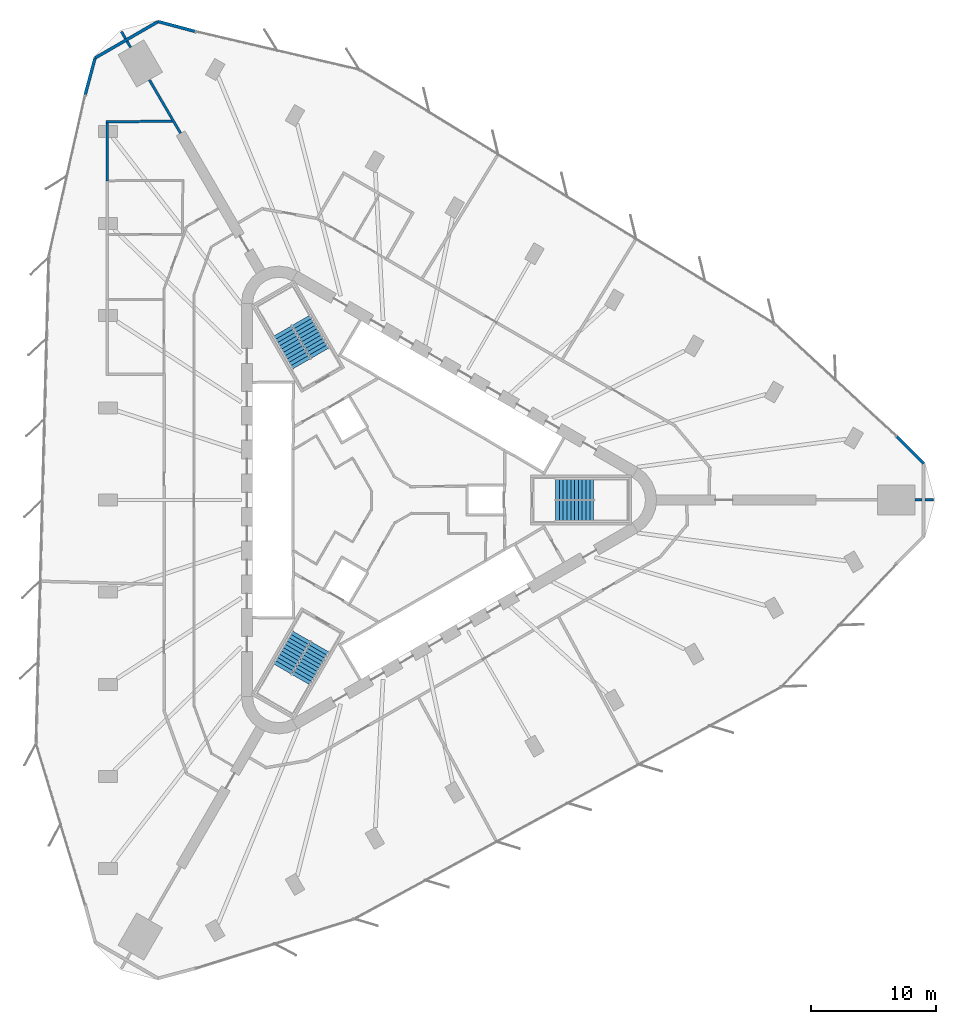
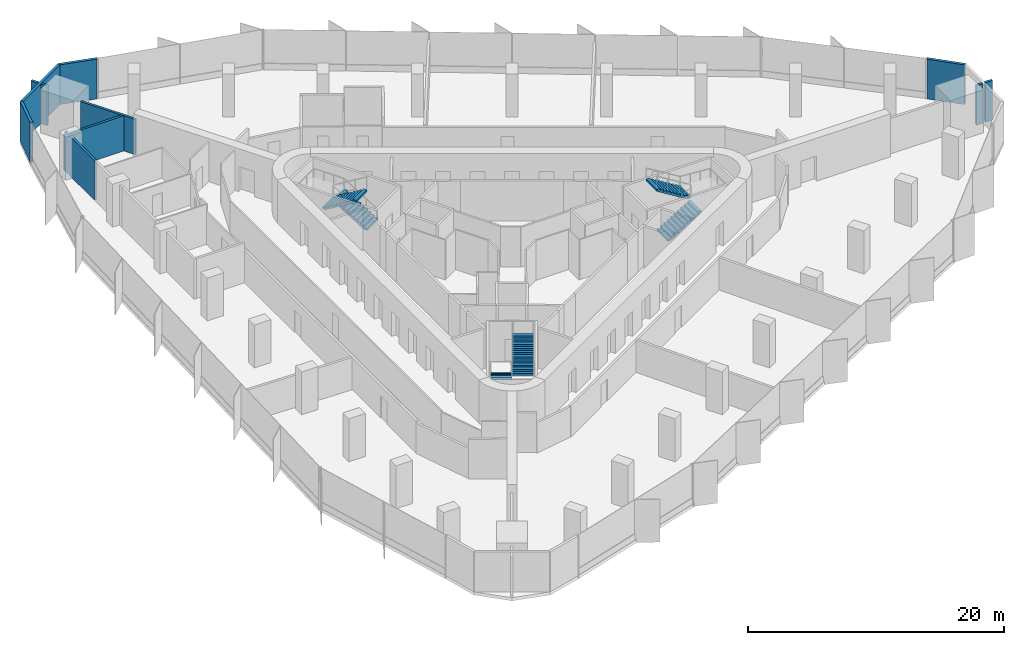
# One storey, part 13 of 14: 11 walls, 6 stair flights, 3 elements without a shape of their own.
"""IFC4 building model written with IfcOpenShell, lengths in metres."""

from ifc_helpers import new_model, si_unit, direction, frame, frame_2d, origin, place, context, subcontext, project, spatial, polyline, rectangle, outline, extrude, material, layer, layer_set, type_object, element, aggregate, save


model = new_model("IFC4")

# Units and contexts
model_context = context("Model", 3, precision=1e-05, world=origin(), true_north=direction((0.0, 1.0)))
body_context = subcontext(model_context, "Body", "Model", "MODEL_VIEW")
ifc_project = project(units=[si_unit("LENGTHUNIT", "METRE"), si_unit("AREAUNIT", "SQUARE_METRE"), si_unit("VOLUMEUNIT", "CUBIC_METRE"), si_unit("PLANEANGLEUNIT", "RADIAN"), si_unit("MASSUNIT", "GRAM", prefix="KILO")], contexts=[model_context])

# Site, building, storey
site_placement = place(None, origin())
site = spatial("IfcSite", under=ifc_project, at=site_placement, CompositionType="ELEMENT")
building_placement = place(site_placement, origin())
building = spatial("IfcBuilding", under=site, at=building_placement, Name="Tanit Gate Tower", CompositionType="ELEMENT")
storey_placement = place(building_placement, frame((0.0, 0.0, 123.39990234375)))
storey = spatial("IfcBuildingStorey", under=building, at=storey_placement, Name="L26", CompositionType="ELEMENT", Elevation=123.39990234375)

# Walls
ifc_material_1 = material(Name="Concrete C30/37 with bronze anodised aluminium cladding", Category="concrete")
ifc_layer_1 = layer(ifc_material_1, 0.239990234375)
ifc_layer_set_1 = layer_set([ifc_layer_1], Name="Facade wall bronze clad 240")
wall_type_1 = type_object("IfcWallType", Name="Facade wall bronze clad 240", PredefinedType="SOLIDWALL", material=ifc_layer_set_1)
wall_1_placement = place(storey_placement, frame((-15.81689453125, 37.57763671875, 0.0), z_axis=(0.0, 0.0, 1.0), x_axis=(-0.965920651814, 0.258838355735, 0.0)))
element("IfcWall", 1, at=wall_1_placement, inside=storey, type_object=wall_type_1, Name="Bronze-clad facade wall L26 NW.arc1", PredefinedType="SOLIDWALL", context=body_context, shape_type="SweptSolid", body=[
    extrude(rectangle(XDim=3.062744140625, YDim=0.239990234375, at=frame_2d((1.53125, 0.0))), origin(), (0.0, 0.0, 1.0), 3.800048828125),
])
wall_2_placement = place(storey_placement, frame((-18.775146484375, 38.370361328125, 0.0), z_axis=(0.0, 0.0, 1.0), x_axis=(-0.866031321059, -0.49998975084, 0.0)))
element("IfcWall", 2, at=wall_2_placement, inside=storey, type_object=wall_type_1, Name="Bronze-clad facade wall L26 NW.arc2", PredefinedType="SOLIDWALL", context=body_context, shape_type="SweptSolid", body=[
    extrude(rectangle(XDim=5.8505859375, YDim=0.239990234375, at=frame_2d((2.92529296875, 0.0))), origin(), (0.0, 0.0, 1.0), 3.800048828125),
])
for number, where, z_axis, x_axis, name in (
    (3, (-23.842041015625, 35.445068359375, 0.0), (0.0, 0.0, 1.0), (-0.258805249011, -0.965929522835, 0.0), "Bronze-clad facade wall L26 NW.arc3"),
    (4, (42.617431640625, 2.92529296875, 0.0), (0.0, 0.0, 1.0), (-0.707106781187, 0.707106781187, 0.0), "Bronze-clad facade wall L26 E.arc3"),
):
    element("IfcWall", number, at=place(storey_placement, frame(where, z_axis=z_axis, x_axis=x_axis)), inside=storey, type_object=wall_type_1, Name=name, PredefinedType="SOLIDWALL", context=body_context, shape_type="SweptSolid", body=[
        extrude(rectangle(XDim=3.058349609375, YDim=0.239990234375, at=frame_2d((1.529296875, 0.0))), origin(), (0.0, 0.0, 1.0), 3.800048828125),
    ])
ifc_material_2 = material(Name="Fire-rated gypsum board partition")
ifc_layer_2 = layer(ifc_material_2, 0.199951171875)
ifc_layer_set_2 = layer_set([ifc_layer_2], Name="INT-WALL-COMPARTMENT")
wall_type_2 = type_object("IfcWallType", Name="INT-WALL-COMPARTMENT", PredefinedType="PARTITIONING", material=ifc_layer_set_2)
wall_3_placement = place(storey_placement, frame((-21.72265625, 37.564697265625, 0.0), z_axis=(0.0, 0.0, 1.0), x_axis=(0.499862072928, -0.866105021373, 0.0)))
element("IfcWall", 5, at=wall_3_placement, inside=storey, type_object=wall_type_2, Name="Wall Compartment W116", PredefinedType="PARTITIONING", context=body_context, shape_type="SweptSolid", body=[
    extrude(rectangle(XDim=0.656005859375, YDim=0.199951171875, at=frame_2d((0.328125, 0.0))), origin(), (0.0, 0.0, 1.0), 3.800048828125),
])
wall_4_placement = place(storey_placement, frame((-21.274658203125, 36.788818359375, 0.0), z_axis=(0.0, 0.0, 1.0), x_axis=(0.499857944771, -0.866107403877, 0.0)))
element("IfcWall", 6, at=wall_4_placement, inside=storey, type_object=wall_type_2, Name="Wall Compartment W116x1", PredefinedType="PARTITIONING", context=body_context, shape_type="SweptSolid", body=[
    extrude(rectangle(XDim=0.572021484375, YDim=0.199951171875, at=frame_2d((0.2861328125, 0.0))), origin(), (0.0, 0.0, 1.0), 3.800048828125),
])
wall_5_placement = place(storey_placement, frame((-19.48876953125, 33.695556640625, 0.0), z_axis=(0.0, 0.0, 1.0), x_axis=(0.50520690072, -0.862998254613, 0.0)))
element("IfcWall", 7, at=wall_5_placement, inside=storey, type_object=wall_type_2, Name="Wall Compartment W117", PredefinedType="PARTITIONING", context=body_context, shape_type="SweptSolid", body=[
    extrude(rectangle(XDim=4.96337890625, YDim=0.199951171875, at=frame_2d((2.481689453125, 0.0))), origin(), (0.0, 0.0, 1.0), 3.3701171875),
])
wall_6_placement = place(storey_placement, frame((-22.85009765625, 25.599853515625, 0.0), z_axis=(0.0, 0.0, 1.0), x_axis=(0.0, 1.0, 0.0)))
element("IfcWall", 8, at=wall_6_placement, inside=storey, type_object=wall_type_2, Name="Wall Compartment W123", PredefinedType="PARTITIONING", context=body_context, shape_type="SweptSolid", body=[
    extrude(rectangle(XDim=4.64013671875, YDim=0.199951171875, at=frame_2d((2.320068359375, 0.0))), origin(), (0.0, 0.0, 1.0), 3.800048828125),
])
wall_7_placement = place(storey_placement, frame((-17.5341796875, 30.3701171875, 0.0), z_axis=(0.0, 0.0, 1.0), x_axis=(-0.999983869047, -0.00567993362, 0.0)))
element("IfcWall", 9, at=wall_7_placement, inside=storey, type_object=wall_type_2, Name="Wall Compartment W122", PredefinedType="PARTITIONING", context=body_context, shape_type="SweptSolid", body=[
    extrude(rectangle(XDim=5.415771484375, YDim=0.199951171875, at=frame_2d((2.7080078125, 0.0))), origin(), (0.0, 0.0, 1.0), 3.3701171875),
])
wall_8_placement = place(storey_placement, frame((43.39306640625, 0.030029296875, 0.0), z_axis=(0.0, 0.0, 1.0), x_axis=(-1.0, 0.0, 0.0)))
element("IfcWall", 10, at=wall_8_placement, inside=storey, type_object=wall_type_2, Name="Wall Compartment W132", PredefinedType="PARTITIONING", context=body_context, shape_type="SweptSolid", body=[
    extrude(rectangle(XDim=0.65576171875, YDim=0.199951171875, at=frame_2d((0.327880859375, 0.0))), origin(), (0.0, 0.0, 1.0), 3.800048828125),
])
wall_9_placement = place(storey_placement, frame((42.497314453125, 0.030029296875, 0.0), z_axis=(0.0, 0.0, 1.0), x_axis=(-1.0, 0.0, 0.0)))
element("IfcWall", 11, at=wall_9_placement, inside=storey, type_object=wall_type_2, Name="Wall Compartment W132x1", PredefinedType="PARTITIONING", context=body_context, shape_type="SweptSolid", body=[
    extrude(rectangle(XDim=0.572021484375, YDim=0.199951171875, at=frame_2d((0.2861328125, 0.0))), origin(), (0.0, 0.0, 1.0), 3.800048828125),
])

# Stair, stair flights
ifc_material_3 = material(Name="Concrete C40/50", Category="concrete")
stair_type = type_object("IfcStairType", Name="INT-STAIR-EXIT", PredefinedType="HALF_TURN_STAIR", material=ifc_material_3)
stair_1_placement = place(storey_placement, origin())
stair_1 = element("IfcStair", 12, at=stair_1_placement, inside=storey, type_object=stair_type, Name="L26 STAIR S1", PredefinedType="HALF_TURN_STAIR")
ifc_material_4 = material(Name="Concrete C40/50", Category="concrete")
stair_flight_type = type_object("IfcStairFlightType", Name="INT-STAIR-FLIGHT", PredefinedType="STRAIGHT", material=ifc_material_4)
stair_flight_1_placement = place(storey_placement, frame((13.094970703125, -0.8525390625, 0.0), z_axis=(0.0, 0.0, 1.0), x_axis=(1.0, 0.0, 0.0)))
stair_flight_1 = element("IfcStairFlight", 13, at=stair_flight_1_placement, type_object=stair_flight_type, Name="S1 flight 1", NumberOfRisers=11, NumberOfTreads=10, PredefinedType="STRAIGHT", RiserHeight=0.186363636, TreadLength=0.3051, context=body_context, shape_type="SweptSolid", body=[
    extrude(outline(polyline([(0.0, 0.0), (0.0, 0.186279296875), (0.30517578125, 0.186279296875), (0.30517578125, 0.372802734375), (0.610107421875, 0.372802734375), (0.610107421875, 0.55908203125), (0.915283203125, 0.55908203125), (0.915283203125, 0.745361328125), (1.220458984375, 0.745361328125), (1.220458984375, 0.931884765625), (1.525390625, 0.931884765625), (1.525390625, 1.1181640625), (1.83056640625, 1.1181640625), (1.83056640625, 1.304443359375), (2.1357421875, 1.304443359375), (2.1357421875, 1.490966796875), (2.44091796875, 1.490966796875), (2.44091796875, 1.67724609375), (2.745849609375, 1.67724609375), (2.745849609375, 1.863525390625), (3.051025390625, 1.863525390625), (3.051025390625, 2.050048828125), (3.051025390625, 1.68798828125), (0.28759765625, 0.0), (0.0, 0.0)])), frame((0.0, 0.84765625, 0.0), z_axis=(0.0, -1.0, 0.0), x_axis=(1.0, 0.0, 0.0)), (0.0, 0.0, 1.0), 1.695068359375),
])
stair_flight_2_placement = place(storey_placement, frame((16.14599609375, 0.8525390625, 2.050048828125), z_axis=(0.0, 0.0, 1.0), x_axis=(-1.0, 0.0, 0.0)))
stair_flight_2 = element("IfcStairFlight", 14, at=stair_flight_2_placement, type_object=stair_flight_type, Name="S1 flight 2", NumberOfRisers=11, NumberOfTreads=10, PredefinedType="STRAIGHT", RiserHeight=0.186363636, TreadLength=0.3051, context=body_context, shape_type="SweptSolid", body=[
    extrude(outline(polyline([(0.0, 0.0), (0.0, 0.186279296875), (0.30517578125, 0.186279296875), (0.30517578125, 0.372802734375), (0.610107421875, 0.372802734375), (0.610107421875, 0.55908203125), (0.915283203125, 0.55908203125), (0.915283203125, 0.745361328125), (1.220458984375, 0.745361328125), (1.220458984375, 0.931884765625), (1.525390625, 0.931884765625), (1.525390625, 1.1181640625), (1.83056640625, 1.1181640625), (1.83056640625, 1.304443359375), (2.1357421875, 1.304443359375), (2.1357421875, 1.490966796875), (2.44091796875, 1.490966796875), (2.44091796875, 1.67724609375), (2.745849609375, 1.67724609375), (2.745849609375, 1.863525390625), (3.051025390625, 1.863525390625), (3.051025390625, 2.050048828125), (3.051025390625, 1.68798828125), (0.28759765625, 0.0), (0.0, 0.0)])), frame((0.0, 0.84765625, 0.0), z_axis=(0.0, -1.0, 0.0), x_axis=(1.0, 0.0, 0.0)), (0.0, 0.0, 1.0), 1.695068359375),
])
aggregate(stair_1, [stair_flight_1, stair_flight_2])

stair_2_placement = place(storey_placement, origin())
stair_2 = element("IfcStair", 15, at=stair_2_placement, inside=storey, type_object=stair_type, Name="L26 STAIR S2", PredefinedType="HALF_TURN_STAIR")
stair_flight_3_placement = place(storey_placement, frame((-5.808349609375, 11.766357421875, 0.0), z_axis=(0.0, 0.0, 1.0), x_axis=(-0.5, 0.866025403784, 0.0)))
stair_flight_3 = element("IfcStairFlight", 16, at=stair_flight_3_placement, type_object=stair_flight_type, Name="S2 flight 1", NumberOfRisers=11, NumberOfTreads=10, PredefinedType="STRAIGHT", RiserHeight=0.186363636, TreadLength=0.30492, context=body_context, shape_type="SweptSolid", body=[
    extrude(outline(polyline([(0.0, 0.0), (0.0, 0.186279296875), (0.304931640625, 0.186279296875), (0.304931640625, 0.372802734375), (0.60986328125, 0.372802734375), (0.60986328125, 0.55908203125), (0.914794921875, 0.55908203125), (0.914794921875, 0.745361328125), (1.2197265625, 0.745361328125), (1.2197265625, 0.931884765625), (1.524658203125, 0.931884765625), (1.524658203125, 1.1181640625), (1.82958984375, 1.1181640625), (1.82958984375, 1.304443359375), (2.134521484375, 1.304443359375), (2.134521484375, 1.490966796875), (2.439453125, 1.490966796875), (2.439453125, 1.67724609375), (2.744384765625, 1.67724609375), (2.744384765625, 1.863525390625), (3.04931640625, 1.863525390625), (3.04931640625, 2.050048828125), (3.04931640625, 1.68798828125), (0.287353515625, 0.0), (0.0, 0.0)])), frame((0.0, 0.84716796875, 0.0), z_axis=(0.0, -1.0, 0.0), x_axis=(1.0, 0.0, 0.0)), (0.0, 0.0, 1.0), 1.694091796875),
])
stair_flight_4_placement = place(storey_placement, frame((-8.810302734375, 13.553955078125, 2.050048828125), z_axis=(0.0, 0.0, 1.0), x_axis=(0.5, -0.866025403784, 0.0)))
stair_flight_4 = element("IfcStairFlight", 17, at=stair_flight_4_placement, type_object=stair_flight_type, Name="S2 flight 2", NumberOfRisers=11, NumberOfTreads=10, PredefinedType="STRAIGHT", RiserHeight=0.186363636, TreadLength=0.30492, context=body_context, shape_type="SweptSolid", body=[
    extrude(outline(polyline([(0.0, 0.0), (0.0, 0.186279296875), (0.304931640625, 0.186279296875), (0.304931640625, 0.372802734375), (0.60986328125, 0.372802734375), (0.60986328125, 0.55908203125), (0.914794921875, 0.55908203125), (0.914794921875, 0.745361328125), (1.2197265625, 0.745361328125), (1.2197265625, 0.931884765625), (1.524658203125, 0.931884765625), (1.524658203125, 1.1181640625), (1.82958984375, 1.1181640625), (1.82958984375, 1.304443359375), (2.134521484375, 1.304443359375), (2.134521484375, 1.490966796875), (2.439453125, 1.490966796875), (2.439453125, 1.67724609375), (2.744384765625, 1.67724609375), (2.744384765625, 1.863525390625), (3.04931640625, 1.863525390625), (3.04931640625, 2.050048828125), (3.04931640625, 1.68798828125), (0.287353515625, 0.0), (0.0, 0.0)])), frame((0.0, 0.84716796875, 0.0), z_axis=(0.0, -1.0, 0.0), x_axis=(1.0, 0.0, 0.0)), (0.0, 0.0, 1.0), 1.694091796875),
])
aggregate(stair_2, [stair_flight_3, stair_flight_4])

stair_3_placement = place(storey_placement, origin())
stair_3 = element("IfcStair", 18, at=stair_3_placement, inside=storey, type_object=stair_type, Name="L26 STAIR S3", PredefinedType="HALF_TURN_STAIR")
stair_flight_5_placement = place(storey_placement, frame((-7.285888671875, -10.914306640625, 0.0), z_axis=(0.0, 0.0, 1.0), x_axis=(-0.5, -0.866025403784, 0.0)))
stair_flight_5 = element("IfcStairFlight", 19, at=stair_flight_5_placement, type_object=stair_flight_type, Name="S3 flight 1", NumberOfRisers=11, NumberOfTreads=10, PredefinedType="STRAIGHT", RiserHeight=0.186363636, TreadLength=0.3051, context=body_context, shape_type="SweptSolid", body=[
    extrude(outline(polyline([(0.0, 0.0), (0.0, 0.186279296875), (0.30517578125, 0.186279296875), (0.30517578125, 0.372802734375), (0.610107421875, 0.372802734375), (0.610107421875, 0.55908203125), (0.915283203125, 0.55908203125), (0.915283203125, 0.745361328125), (1.220458984375, 0.745361328125), (1.220458984375, 0.931884765625), (1.525390625, 0.931884765625), (1.525390625, 1.1181640625), (1.83056640625, 1.1181640625), (1.83056640625, 1.304443359375), (2.1357421875, 1.304443359375), (2.1357421875, 1.490966796875), (2.44091796875, 1.490966796875), (2.44091796875, 1.67724609375), (2.745849609375, 1.67724609375), (2.745849609375, 1.863525390625), (3.051025390625, 1.863525390625), (3.051025390625, 2.050048828125), (3.051025390625, 1.68798828125), (0.28759765625, 0.0), (0.0, 0.0)])), frame((0.0, 0.84765625, 0.0), z_axis=(0.0, -1.0, 0.0), x_axis=(1.0, 0.0, 0.0)), (0.0, 0.0, 1.0), 1.695068359375),
])
stair_flight_6_placement = place(storey_placement, frame((-7.334716796875, -14.4091796875, 2.050048828125), z_axis=(0.0, 0.0, 1.0), x_axis=(0.5, 0.866025403784, 0.0)))
stair_flight_6 = element("IfcStairFlight", 20, at=stair_flight_6_placement, type_object=stair_flight_type, Name="S3 flight 2", NumberOfRisers=11, NumberOfTreads=10, PredefinedType="STRAIGHT", RiserHeight=0.186363636, TreadLength=0.3051, context=body_context, shape_type="SweptSolid", body=[
    extrude(outline(polyline([(0.0, 0.0), (0.0, 0.186279296875), (0.30517578125, 0.186279296875), (0.30517578125, 0.372802734375), (0.610107421875, 0.372802734375), (0.610107421875, 0.55908203125), (0.915283203125, 0.55908203125), (0.915283203125, 0.745361328125), (1.220458984375, 0.745361328125), (1.220458984375, 0.931884765625), (1.525390625, 0.931884765625), (1.525390625, 1.1181640625), (1.83056640625, 1.1181640625), (1.83056640625, 1.304443359375), (2.1357421875, 1.304443359375), (2.1357421875, 1.490966796875), (2.44091796875, 1.490966796875), (2.44091796875, 1.67724609375), (2.745849609375, 1.67724609375), (2.745849609375, 1.863525390625), (3.051025390625, 1.863525390625), (3.051025390625, 2.050048828125), (3.051025390625, 1.68798828125), (0.28759765625, 0.0), (0.0, 0.0)])), frame((0.0, 0.84765625, 0.0), z_axis=(0.0, -1.0, 0.0), x_axis=(1.0, 0.0, 0.0)), (0.0, 0.0, 1.0), 1.695068359375),
])
aggregate(stair_3, [stair_flight_5, stair_flight_6])

save(model, "model.ifc")
